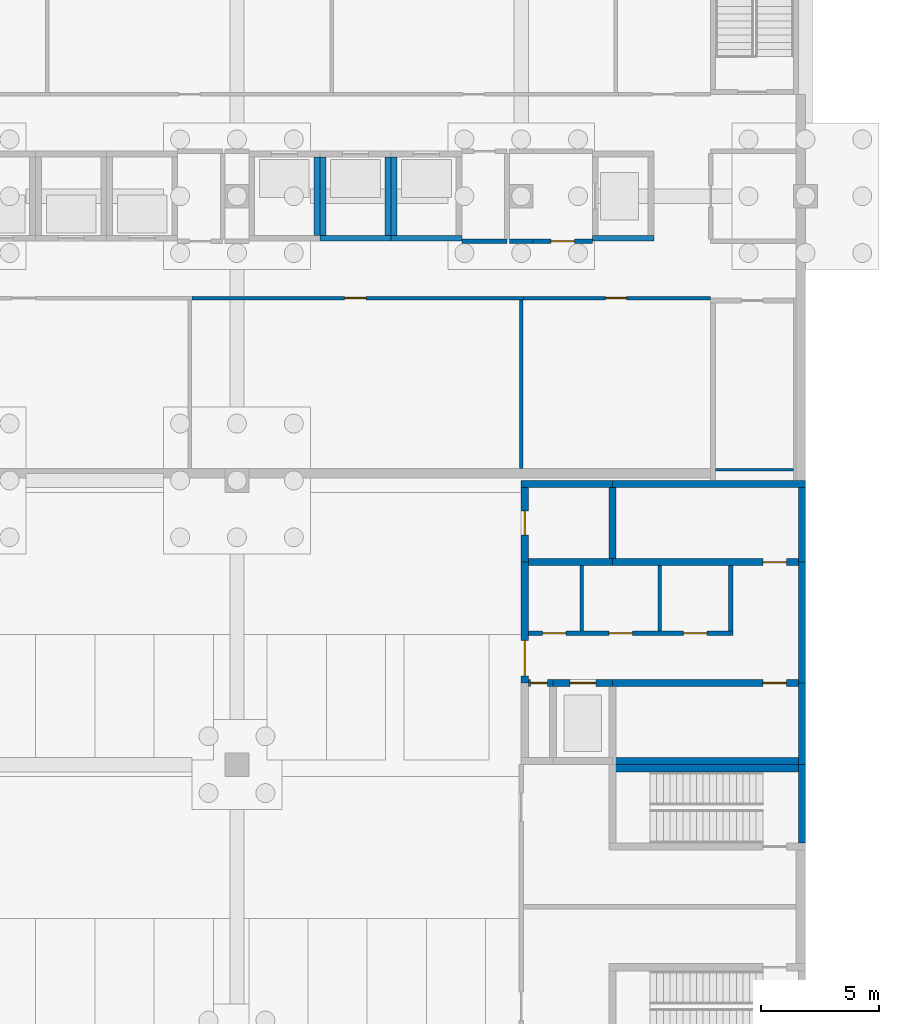
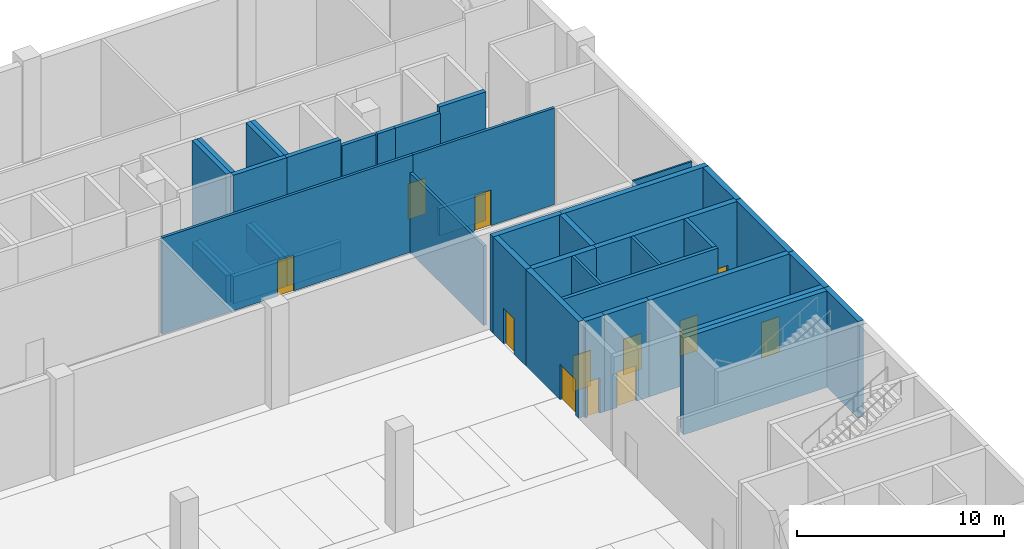
# One storey, part 27 of 34: 41 walls, 12 doors, 12 openings.
"""IFC4 building model written with IfcOpenShell, lengths in metres."""

import ifcopenshell
import ifcopenshell.guid

model = None  # the IFC model being written
_history = None  # IfcOwnerHistory: only IFC2X3 demands one
_inside = {}  # id of a spatial element -> (the spatial element, [elements in it])
_under = {}  # id of a project, library or spatial element -> (it, [spatial elements below it])
_declared = {}  # id of a project -> (the project, [libraries it declares])
_typed = {}  # id of a type object -> (the type object, [elements of that type])
_made_of = {}  # id of a material, layer set ... -> (it, [elements and type objects made of it])


def new_model(schema):
    """Start an empty IFC model of exactly this schema.

    Asked for "IFC4X3", IfcOpenShell would pick the latest addendum, in which some entities
    have other attributes; the version numbers below select the first issue.
    IFC2X3 requires an IfcOwnerHistory on every rooted entity: one is made here for all.
    """
    global model, _history
    if schema == "IFC4X3":
        model = ifcopenshell.file(schema_version=(4, 3, 0, 0))
    else:
        model = ifcopenshell.file(schema=schema)
    _inside.clear()
    _under.clear()
    _declared.clear()
    _typed.clear()
    _made_of.clear()
    _history = None
    if model.schema == "IFC2X3":
        org = make("IfcOrganization", Name="unknown")
        user = make(
            "IfcPersonAndOrganization",
            ThePerson=make("IfcPerson", FamilyName="unknown"),
            TheOrganization=org,
        )
        app = make(
            "IfcApplication",
            ApplicationDeveloper=org,
            Version="unknown",
            ApplicationFullName="unknown",
            ApplicationIdentifier="unknown",
        )
        _history = make(
            "IfcOwnerHistory",
            OwningUser=user,
            OwningApplication=app,
            ChangeAction="ADDED",
            CreationDate=0,
        )
    return model


def make(cls, **values):
    """One entity of the class cls with the attributes given. An attribute that is None is left unset."""
    return model.create_entity(
        cls, **{name: value for name, value in values.items() if value is not None}
    )


def rooted(cls, **values):
    """An entity with a GlobalId (a new one), such as an element, a storey or a relation."""
    return make(cls, GlobalId=ifcopenshell.guid.new(), OwnerHistory=_history, **values)


def si_unit(unit_type, name, prefix=None):
    """IfcSIUnit, for example si_unit("LENGTHUNIT", "METRE", prefix="MILLI")."""
    return make("IfcSIUnit", UnitType=unit_type, Prefix=prefix, Name=name)


def assignment(units):
    """IfcUnitAssignment: the units of a project."""
    return None if units is None else make("IfcUnitAssignment", Units=units)


def point(xyz):
    """IfcCartesianPoint."""
    return None if xyz is None else make("IfcCartesianPoint", Coordinates=xyz)


def direction(xyz):
    """IfcDirection."""
    return None if xyz is None else make("IfcDirection", DirectionRatios=xyz)


def frame(location, z_axis=None, x_axis=None):
    """IfcAxis2Placement3D, a coordinate frame: its origin and axes. An axis left out is left unset."""
    return make(
        "IfcAxis2Placement3D",
        Location=point(location),
        Axis=direction(z_axis),
        RefDirection=direction(x_axis),
    )


def frame_2d(location, x_axis=None):
    """IfcAxis2Placement2D, a coordinate frame in the plane: its origin and x axis."""
    return make(
        "IfcAxis2Placement2D", Location=point(location), RefDirection=direction(x_axis)
    )


def origin():
    """The frame at (0, 0, 0) with its axes left unset."""
    return frame((0.0, 0.0, 0.0))


def place(relative_to, where):
    """IfcLocalPlacement: puts the frame where relative to a parent placement (None: the world)."""
    return make(
        "IfcLocalPlacement", PlacementRelTo=relative_to, RelativePlacement=where
    )


def context(
    kind, dimensions, precision=None, world=None, true_north=None, identifier=None
):
    """IfcGeometricRepresentationContext, for example the 3D "Model" context."""
    return make(
        "IfcGeometricRepresentationContext",
        ContextIdentifier=identifier,
        ContextType=kind,
        CoordinateSpaceDimension=dimensions,
        Precision=precision,
        WorldCoordinateSystem=world,
        TrueNorth=true_north,
    )


def subcontext(parent, identifier, kind, view, scale=None):
    """IfcGeometricRepresentationSubContext, for example "Body" below "Model"."""
    return make(
        "IfcGeometricRepresentationSubContext",
        ContextIdentifier=identifier,
        ContextType=kind,
        ParentContext=parent,
        TargetScale=scale,
        TargetView=view,
    )


def project(units=None, contexts=None):
    """IfcProject with its units and contexts."""
    return rooted(
        "IfcProject",
        Name="project",
        RepresentationContexts=contexts,
        UnitsInContext=assignment(units),
    )


def spatial(cls, under=None, at=None, **own):
    """A site, building, storey or space (cls), placed at a placement, below another one or the project."""
    s = rooted(cls, ObjectPlacement=at, **own)
    if under is not None:
        _under.setdefault(under.id(), (under, []))[1].append(s)
    return s


def profile(cls, at=None, kind="AREA", **sizes):
    """A parametric profile (cls). Its sizes go by their IFC names, for example OverallWidth=200.0."""
    return make(cls, ProfileType=kind, Position=at, **sizes)


def rectangle(**sizes):
    """IfcRectangleProfileDef."""
    return profile("IfcRectangleProfileDef", **sizes)


def extrude(swept, where, along, depth):
    """IfcExtrudedAreaSolid: the profile swept, set in the frame where, extruded along a direction by depth."""
    return make(
        "IfcExtrudedAreaSolid",
        SweptArea=swept,
        Position=where,
        ExtrudedDirection=direction(along),
        Depth=depth,
    )


def shape(context_of_items, identifier, shape_type, items):
    """IfcShapeRepresentation: the items that make up one representation, for example the "Body"."""
    return make(
        "IfcShapeRepresentation",
        ContextOfItems=context_of_items,
        RepresentationIdentifier=identifier,
        RepresentationType=shape_type,
        Items=items,
    )


def material(Name=None, Category=None):
    """IfcMaterial."""
    return make("IfcMaterial", Name=Name, Category=Category)


def layer(
    of_material, thickness, ventilated=None, Name=None, Category=None, Priority=None
):
    """IfcMaterialLayer: one layer of a wall or slab, of a material (None: an air gap)."""
    return make(
        "IfcMaterialLayer",
        Material=of_material,
        LayerThickness=thickness,
        IsVentilated=ventilated,
        Name=Name,
        Category=Category,
        Priority=Priority,
    )


def layer_set(layers, Name=None):
    """IfcMaterialLayerSet."""
    return make("IfcMaterialLayerSet", MaterialLayers=layers, LayerSetName=Name)


def made_of(thing, what):
    """Note that an element or type object is made of a material, layer set ...; save() writes the relation."""
    if what is not None:
        _made_of.setdefault(what.id(), (what, []))[1].append(thing)
    return thing


def type_object(cls, material=None, **own):
    """A type object (cls), such as IfcWallType, which elements share."""
    return made_of(rooted(cls, **own), material)


def element(
    cls,
    number,
    at=None,
    inside=None,
    cuts=None,
    type_object=None,
    material=None,
    context=None,
    identifier="Body",
    shape_type=None,
    held_by="IfcProductDefinitionShape",
    body=None,
    shapes=None,
    **own,
):
    """One element of the class cls, such as IfcWall. Its Tag is "e" and its number.

    at: its placement. inside: the storey or other place that contains it. cuts: it is an
    opening in that element (IfcRelVoidsElement). A single representation is given by context,
    identifier, shape_type and body (its items); several are given by shapes. held_by: the class
    of the entity that holds the representations. save() writes the other relations.
    """
    e = rooted(cls, Tag="e%d" % number, ObjectPlacement=at, **own)
    if body is not None:
        shapes = [shape(context, identifier, shape_type, body)]
    if shapes is not None:
        e.Representation = make(held_by, Representations=shapes)
    if inside is not None:
        _inside.setdefault(inside.id(), (inside, []))[1].append(e)
    if cuts is not None:
        rooted(
            "IfcRelVoidsElement", RelatingBuildingElement=cuts, RelatedOpeningElement=e
        )
    if type_object is not None:
        _typed.setdefault(type_object.id(), (type_object, []))[1].append(e)
    return made_of(e, material)


def fill(opening, filler):
    """IfcRelFillsElement: the door or window that sits in an opening."""
    return rooted(
        "IfcRelFillsElement",
        RelatingOpeningElement=opening,
        RelatedBuildingElement=filler,
    )


def aggregate(whole, parts):
    """IfcRelAggregates: a whole, such as a stair, and the parts it consists of."""
    return rooted("IfcRelAggregates", RelatingObject=whole, RelatedObjects=parts)


def save(model, path):
    """Write the relations noted so far, then the file.

    IfcRelAggregates (storeys below a building ...), IfcRelContainedInSpatialStructure (elements
    in a storey), IfcRelDefinesByType, IfcRelAssociatesMaterial and IfcRelDeclares: one each for
    every whole, place, type object, material and project.
    """
    for whole, parts in _under.values():
        aggregate(whole, parts)
    for where, things in _inside.values():
        rooted(
            "IfcRelContainedInSpatialStructure",
            RelatedElements=things,
            RelatingStructure=where,
        )
    for kind, things in _typed.values():
        rooted("IfcRelDefinesByType", RelatedObjects=things, RelatingType=kind)
    for what, things in _made_of.values():
        rooted("IfcRelAssociatesMaterial", RelatedObjects=things, RelatingMaterial=what)
    for by, libraries in _declared.values():
        rooted("IfcRelDeclares", RelatingContext=by, RelatedDefinitions=libraries)
    model.write(path)


model = new_model("IFC4")

# Units and contexts
model_context = context("Model", 3, precision=1e-05, world=origin(), true_north=direction((0.0, 1.0)))
body_context = subcontext(model_context, "Body", "Model", "MODEL_VIEW")
ifc_project = project(units=[si_unit("LENGTHUNIT", "METRE"), si_unit("AREAUNIT", "SQUARE_METRE"), si_unit("VOLUMEUNIT", "CUBIC_METRE"), si_unit("PLANEANGLEUNIT", "RADIAN"), si_unit("MASSUNIT", "GRAM", prefix="KILO")], contexts=[model_context])

# Site, building, storey
site_placement = place(None, origin())
site = spatial("IfcSite", under=ifc_project, at=site_placement, CompositionType="ELEMENT")
building_placement = place(site_placement, origin())
building = spatial("IfcBuilding", under=site, at=building_placement, Name="Lilac Gate Convention Centre", CompositionType="ELEMENT")
storey_placement = place(building_placement, frame((0.0, 0.0, -6.0)))
storey = spatial("IfcBuildingStorey", under=building, at=storey_placement, Name="B1", CompositionType="ELEMENT", Elevation=-6.0)

# Walls
ifc_material_1 = material(Name="Concrete C60", Category="concrete")
ifc_layer_1 = layer(ifc_material_1, 0.10009765625)
ifc_layer_set_1 = layer_set([ifc_layer_1], Name="Concrete C60")
wall_type_1 = type_object("IfcWallType", Name="Core wall 100 C60", PredefinedType="SHEAR", material=ifc_layer_set_1)
wall_1_placement = place(storey_placement, frame((89.5, 222.449951171875, 0.0), z_axis=(0.0, 0.0, 1.0), x_axis=(-1.0, 0.0, 0.0)))
element("IfcWall", 1, at=wall_1_placement, inside=storey, type_object=wall_type_1, Name="CRW8 core wall TS-EX B1 2", PredefinedType="SHEAR", context=body_context, shape_type="SweptSolid", body=[
    extrude(rectangle(XDim=3.300048828125, YDim=0.10009765625, at=frame_2d((1.64990234375, 0.0))), origin(), (0.0, 0.0, 1.0), 5.699951171875),
])
ifc_layer_2 = layer(ifc_material_1, 0.25)
ifc_layer_set_2 = layer_set([ifc_layer_2], Name="Concrete C60")
wall_type_2 = type_object("IfcWallType", Name="Core wall 250 C60", PredefinedType="SHEAR", material=ifc_layer_set_2)
wall_2_placement = place(storey_placement, frame((69.375, 232.35009765625, 0.0), z_axis=(0.0, 0.0, 1.0), x_axis=(0.0, 1.0, 0.0)))
element("IfcWall", 2, at=wall_2_placement, inside=storey, type_object=wall_type_2, Name="CRW3 core wall TC B1 16", PredefinedType="SHEAR", context=body_context, shape_type="SweptSolid", body=[
    extrude(rectangle(XDim=3.2998046875, YDim=0.25, at=frame_2d((1.64990234375, 0.0))), origin(), (0.0, 0.0, 1.0), 6.0),
])
wall_3_placement = place(storey_placement, frame((69.5, 232.22509765625, 0.0), z_axis=(0.0, 0.0, 1.0), x_axis=(1.0, 0.0, 0.0)))
element("IfcWall", 3, at=wall_3_placement, inside=storey, type_object=wall_type_2, Name="CRW3 core wall TC B1 17", PredefinedType="SHEAR", context=body_context, shape_type="SweptSolid", body=[
    extrude(rectangle(XDim=3.0, YDim=0.25, at=frame_2d((1.5, 0.0))), origin(), (0.0, 0.0, 1.0), 6.0),
])
for number, where, z_axis, x_axis, name in (
    (4, (69.625, 232.35009765625, 0.0), (0.0, 0.0, 1.0), (0.0, 1.0, 0.0), "CRW3 core wall TC B1 19"),
    (5, (72.375, 232.35009765625, 0.0), (0.0, 0.0, 1.0), (0.0, 1.0, 0.0), "CRW3 core wall TC B1 20"),
):
    element("IfcWall", number, at=place(storey_placement, frame(where, z_axis=z_axis, x_axis=x_axis)), inside=storey, type_object=wall_type_2, Name=name, PredefinedType="SHEAR", context=body_context, shape_type="SweptSolid", body=[
        extrude(rectangle(XDim=3.2998046875, YDim=0.25, at=frame_2d((1.64990234375, 0.0))), origin(), (0.0, 0.0, 1.0), 6.0),
    ])
wall_4_placement = place(storey_placement, frame((72.5, 232.22509765625, 0.0), z_axis=(0.0, 0.0, 1.0), x_axis=(1.0, 0.0, 0.0)))
element("IfcWall", 6, at=wall_4_placement, inside=storey, type_object=wall_type_2, Name="CRW3 core wall TC B1 21", PredefinedType="SHEAR", context=body_context, shape_type="SweptSolid", body=[
    extrude(rectangle(XDim=3.0, YDim=0.25, at=frame_2d((1.5, 0.0))), origin(), (0.0, 0.0, 1.0), 6.0),
])
wall_5_placement = place(storey_placement, frame((72.625, 232.35009765625, 0.0), z_axis=(0.0, 0.0, 1.0), x_axis=(0.0, 1.0, 0.0)))
element("IfcWall", 7, at=wall_5_placement, inside=storey, type_object=wall_type_2, Name="CRW3 core wall TC B1 23", PredefinedType="SHEAR", context=body_context, shape_type="SweptSolid", body=[
    extrude(rectangle(XDim=3.2998046875, YDim=0.25, at=frame_2d((1.64990234375, 0.0))), origin(), (0.0, 0.0, 1.0), 6.0),
])
wall_6_placement = place(storey_placement, frame((81.0, 232.22509765625, 0.0), z_axis=(0.0, 0.0, 1.0), x_axis=(1.0, 0.0, 0.0)))
element("IfcWall", 8, at=wall_6_placement, inside=storey, type_object=wall_type_2, Name="CRW3 core wall TC B1 33", PredefinedType="SHEAR", context=body_context, shape_type="SweptSolid", body=[
    extrude(rectangle(XDim=2.60009765625, YDim=0.25, at=frame_2d((1.300048828125, 0.0))), origin(), (0.0, 0.0, 1.0), 6.0),
])

# Wall, opening, door
ifc_material_2 = material(Name="Gypsum board on steel stud", Category="steel")
ifc_layer_3 = layer(ifc_material_2, 0.14990234375)
ifc_layer_set_3 = layer_set([ifc_layer_3], Name="Gypsum board on steel stud")
wall_type_3 = type_object("IfcWallType", Name="Corridor wall 150", PredefinedType="PARTITIONING", material=ifc_layer_set_3)
wall_7_placement = place(storey_placement, frame((78.10009765625, 229.699951171875, 0.0), z_axis=(0.0, 0.0, 1.0), x_axis=(-1.0, 0.0, 0.0)))
wall_7 = element("IfcWall", 9, at=wall_7_placement, inside=storey, type_object=wall_type_3, Name="Corridor wall 150 front HEX", PredefinedType="PARTITIONING", context=body_context, shape_type="SweptSolid", body=[
    extrude(rectangle(XDim=14.0, YDim=0.14990234375, at=frame_2d((7.0, 0.0))), origin(), (0.0, 0.0, 1.0), 5.699951171875),
])
opening_1_placement = place(wall_7_placement, frame((6.64990234375, 0.0, 0.0)))
opening_1 = element("IfcOpeningElement", 10, at=opening_1_placement, cuts=wall_7, Name="Opening TB1-009", PredefinedType="OPENING", context=body_context, shape_type="SweptSolid", body=[
    extrude(rectangle(XDim=0.89990234375, YDim=2.10009765625, at=frame_2d((0.449951171875, 1.050048828125))), frame((0.0, 0.0849609375, 0.0), z_axis=(0.0, -1.0, 0.0), x_axis=(1.0, 0.0, 0.0)), (0.0, 0.0, 1.0), 0.169921875),
])
ifc_material_3 = material(Name="Steel Q235B", Category="steel")
door_type_1 = type_object("IfcDoorType", Name="Riser and store door 900", OperationType="SINGLE_SWING_LEFT", PredefinedType="DOOR", material=ifc_material_3)
door_1_placement = place(opening_1_placement, origin())
door_1 = element("IfcDoor", 11, at=door_1_placement, inside=storey, type_object=door_type_1, Name="Heat Exchange Plant Room door", OperationType="SINGLE_SWING_LEFT", OverallHeight=2.10009765625, OverallWidth=0.89990234375, PredefinedType="DOOR", context=body_context, shape_type="SweptSolid", body=[
    extrude(rectangle(XDim=0.89990234375, YDim=2.10009765625, at=frame_2d((0.449951171875, 1.050048828125))), frame((0.0, 0.02490234375, 0.0), z_axis=(0.0, -1.0, 0.0), x_axis=(1.0, 0.0, 0.0)), (0.0, 0.0, 1.0), 0.050048828125),
])
fill(opening_1, door_1)

wall_8_placement = place(storey_placement, frame((86.0, 229.699951171875, 0.0), z_axis=(0.0, 0.0, 1.0), x_axis=(-1.0, 0.0, 0.0)))
wall_8 = element("IfcWall", 12, at=wall_8_placement, inside=storey, type_object=wall_type_3, Name="Corridor wall 150 front FPR", PredefinedType="PARTITIONING", context=body_context, shape_type="SweptSolid", body=[
    extrude(rectangle(XDim=7.89990234375, YDim=0.14990234375, at=frame_2d((3.949951171875, 0.0))), origin(), (0.0, 0.0, 1.0), 5.699951171875),
])
opening_2_placement = place(wall_8_placement, frame((3.550048828125, 0.0, 0.0)))
opening_2 = element("IfcOpeningElement", 13, at=opening_2_placement, cuts=wall_8, Name="Opening TB1-010", PredefinedType="OPENING", context=body_context, shape_type="SweptSolid", body=[
    extrude(rectangle(XDim=0.89990234375, YDim=2.10009765625, at=frame_2d((0.449951171875, 1.050048828125))), frame((0.0, 0.0849609375, 0.0), z_axis=(0.0, -1.0, 0.0), x_axis=(1.0, 0.0, 0.0)), (0.0, 0.0, 1.0), 0.169921875),
])
door_2_placement = place(opening_2_placement, origin())
door_2 = element("IfcDoor", 14, at=door_2_placement, inside=storey, type_object=door_type_1, Name="Fire Pump Room door", OperationType="SINGLE_SWING_RIGHT", OverallHeight=2.10009765625, OverallWidth=0.89990234375, PredefinedType="DOOR", context=body_context, shape_type="SweptSolid", body=[
    extrude(rectangle(XDim=0.89990234375, YDim=2.10009765625, at=frame_2d((0.449951171875, 1.050048828125))), frame((0.0, 0.02490234375, 0.0), z_axis=(0.0, -1.0, 0.0), x_axis=(1.0, 0.0, 0.0)), (0.0, 0.0, 1.0), 0.050048828125),
])
fill(opening_2, door_2)

ifc_layer_4 = layer(ifc_material_2, 0.199951171875)
ifc_layer_set_4 = layer_set([ifc_layer_4], Name="Gypsum board on steel stud")
wall_type_4 = type_object("IfcWallType", Name="Lobby wall 200", PredefinedType="PARTITIONING", material=ifc_layer_set_4)
wall_9_placement = place(storey_placement, frame((78.5, 232.10009765625, 0.0), z_axis=(0.0, 0.0, 1.0), x_axis=(1.0, 0.0, 0.0)))
wall_9 = element("IfcWall", 15, at=wall_9_placement, inside=storey, type_object=wall_type_4, Name="Lobby wall 200 FFL-S", PredefinedType="PARTITIONING", context=body_context, shape_type="SweptSolid", body=[
    extrude(rectangle(XDim=2.5, YDim=0.199951171875, at=frame_2d((1.25, 0.0))), origin(), (0.0, 0.0, 1.0), 5.699951171875),
])
opening_3_placement = place(wall_9_placement, frame((0.75, 0.0, 0.0)))
opening_3 = element("IfcOpeningElement", 16, at=opening_3_placement, cuts=wall_9, Name="Opening TB1-004", PredefinedType="OPENING", context=body_context, shape_type="SweptSolid", body=[
    extrude(rectangle(XDim=1.0, YDim=2.10009765625, at=frame_2d((0.5, 1.050048828125))), frame((0.0, 0.10986328125, 0.0), z_axis=(0.0, -1.0, 0.0), x_axis=(1.0, 0.0, 0.0)), (0.0, 0.0, 1.0), 0.219970703125),
])
door_type_2 = type_object("IfcDoorType", Name="Lobby door 1000", OperationType="SINGLE_SWING_LEFT", PredefinedType="DOOR", material=ifc_material_3)
door_3_placement = place(opening_3_placement, origin())
door_3 = element("IfcDoor", 17, at=door_3_placement, inside=storey, type_object=door_type_2, Name="Firefighting lobby door", OperationType="SINGLE_SWING_RIGHT", OverallHeight=2.10009765625, OverallWidth=1.0, PredefinedType="DOOR", context=body_context, shape_type="SweptSolid", body=[
    extrude(rectangle(XDim=1.0, YDim=2.10009765625, at=frame_2d((0.5, 1.050048828125))), frame((0.0, 0.02490234375, 0.0), z_axis=(0.0, -1.0, 0.0), x_axis=(1.0, 0.0, 0.0)), (0.0, 0.0, 1.0), 0.050048828125),
])
fill(opening_3, door_3)

# Walls
ifc_material_4 = material(Name="Fire-rated gypsum board on steel stud", Category="steel")
ifc_layer_5 = layer(ifc_material_4, 0.14990234375)
ifc_layer_set_5 = layer_set([ifc_layer_5], Name="Fire-rated gypsum board on steel stud")
wall_type_5 = type_object("IfcWallType", Name="Partition 150 fire-rated gypsum board EI 60", PredefinedType="PARTITIONING", material=ifc_layer_set_5)
for number, where, z_axis, x_axis, name in (
    (18, (80.550048828125, 215.64990234375, 0.0), (0.0, 0.0, 1.0), (0.0, 1.0, 0.0), "Partition 150 fire-rated gypsum board EI 60"),
    (19, (83.85009765625, 215.64990234375, 0.0), (0.0, 0.0, 1.0), (0.0, 1.0, 0.0), "Partition 150 fire-rated gypsum board EI 60"),
):
    element("IfcWall", number, at=place(storey_placement, frame(where, z_axis=z_axis, x_axis=x_axis)), inside=storey, type_object=wall_type_5, Name=name, PredefinedType="PARTITIONING", context=body_context, shape_type="SweptSolid", body=[
        extrude(rectangle(XDim=2.75, YDim=0.14990234375, at=frame_2d((1.375, 0.0))), origin(), (0.0, 0.0, 1.0), 5.699951171875),
    ])

# Wall, openings, doors
ifc_material_5 = material(Name="Clay brick masonry", Category="masonry")
ifc_layer_6 = layer(ifc_material_5, 0.199951171875)
ifc_layer_set_6 = layer_set([ifc_layer_6], Name="Clay brick masonry")
wall_type_6 = type_object("IfcWallType", Name="Partition 200 brick EI 60", PredefinedType="PARTITIONING", material=ifc_layer_set_6)
wall_10_placement = place(storey_placement, frame((78.300048828125, 215.550048828125, 0.0), z_axis=(0.0, 0.0, 1.0), x_axis=(1.0, 0.0, 0.0)))
wall_10 = element("IfcWall", 20, at=wall_10_placement, inside=storey, type_object=wall_type_6, Name="Partition 200 brick EI 60", PredefinedType="PARTITIONING", context=body_context, shape_type="SweptSolid", body=[
    extrude(rectangle(XDim=8.64990234375, YDim=0.199951171875, at=frame_2d((4.324951171875, 0.0))), origin(), (0.0, 0.0, 1.0), 5.699951171875),
])
opening_4_placement = place(wall_10_placement, frame((0.60009765625, 0.0, 0.0)))
opening_4 = element("IfcOpeningElement", 21, at=opening_4_placement, cuts=wall_10, Name="Opening B1-089", PredefinedType="OPENING", context=body_context, shape_type="SweptSolid", body=[
    extrude(rectangle(XDim=1.0, YDim=2.10009765625, at=frame_2d((0.5, 1.050048828125))), frame((0.0, 0.10986328125, 0.0), z_axis=(0.0, -1.0, 0.0), x_axis=(1.0, 0.0, 0.0)), (0.0, 0.0, 1.0), 0.219970703125),
])
opening_5_placement = place(wall_10_placement, frame((3.39990234375, 0.0, 0.0)))
opening_5 = element("IfcOpeningElement", 22, at=opening_5_placement, cuts=wall_10, Name="Opening B1-090", PredefinedType="OPENING", context=body_context, shape_type="SweptSolid", body=[
    extrude(rectangle(XDim=1.0, YDim=2.10009765625, at=frame_2d((0.5, 1.050048828125))), frame((0.0, 0.10986328125, 0.0), z_axis=(0.0, -1.0, 0.0), x_axis=(1.0, 0.0, 0.0)), (0.0, 0.0, 1.0), 0.219970703125),
])
opening_6_placement = place(wall_10_placement, frame((6.550048828125, 0.0, 0.0)))
opening_6 = element("IfcOpeningElement", 23, at=opening_6_placement, cuts=wall_10, Name="Opening B1-091", PredefinedType="OPENING", context=body_context, shape_type="SweptSolid", body=[
    extrude(rectangle(XDim=1.0, YDim=2.10009765625, at=frame_2d((0.5, 1.050048828125))), frame((0.0, 0.10986328125, 0.0), z_axis=(0.0, -1.0, 0.0), x_axis=(1.0, 0.0, 0.0)), (0.0, 0.0, 1.0), 0.219970703125),
])
ifc_material_6 = material(Name="Timber fire door leaf", Category="wood")
door_type_3 = type_object("IfcDoorType", Name="Door 1000 x 2100 single leaf FD30", OperationType="SINGLE_SWING_LEFT", PredefinedType="DOOR", material=ifc_material_6)
door_4_placement = place(opening_4_placement, origin())
door_4 = element("IfcDoor", 24, at=door_4_placement, inside=storey, type_object=door_type_3, Name="Accessible WC door B1-089", OperationType="SINGLE_SWING_RIGHT", OverallHeight=2.10009765625, OverallWidth=1.0, PredefinedType="DOOR", context=body_context, shape_type="SweptSolid", body=[
    extrude(rectangle(XDim=1.0, YDim=2.10009765625, at=frame_2d((0.5, 1.050048828125))), frame((0.0, 0.02490234375, 0.0), z_axis=(0.0, -1.0, 0.0), x_axis=(1.0, 0.0, 0.0)), (0.0, 0.0, 1.0), 0.050048828125),
])
fill(opening_4, door_4)
door_5_placement = place(opening_5_placement, origin())
door_5 = element("IfcDoor", 25, at=door_5_placement, inside=storey, type_object=door_type_3, Name="WC door B1-090", OperationType="SINGLE_SWING_LEFT", OverallHeight=2.10009765625, OverallWidth=1.0, PredefinedType="DOOR", context=body_context, shape_type="SweptSolid", body=[
    extrude(rectangle(XDim=1.0, YDim=2.10009765625, at=frame_2d((0.5, 1.050048828125))), frame((0.0, 0.02490234375, 0.0), z_axis=(0.0, -1.0, 0.0), x_axis=(1.0, 0.0, 0.0)), (0.0, 0.0, 1.0), 0.050048828125),
])
fill(opening_5, door_5)
door_6_placement = place(opening_6_placement, origin())
door_6 = element("IfcDoor", 26, at=door_6_placement, inside=storey, type_object=door_type_3, Name="WC door B1-091", OperationType="SINGLE_SWING_RIGHT", OverallHeight=2.10009765625, OverallWidth=1.0, PredefinedType="DOOR", context=body_context, shape_type="SweptSolid", body=[
    extrude(rectangle(XDim=1.0, YDim=2.10009765625, at=frame_2d((0.5, 1.050048828125))), frame((0.0, 0.02490234375, 0.0), z_axis=(0.0, -1.0, 0.0), x_axis=(1.0, 0.0, 0.0)), (0.0, 0.0, 1.0), 0.050048828125),
])
fill(opening_6, door_6)

# Walls
wall_11_placement = place(storey_placement, frame((86.85009765625, 215.64990234375, 0.0), z_axis=(0.0, 0.0, 1.0), x_axis=(0.0, 1.0, 0.0)))
element("IfcWall", 27, at=wall_11_placement, inside=storey, type_object=wall_type_6, Name="Partition 200 brick EI 60", PredefinedType="PARTITIONING", context=body_context, shape_type="SweptSolid", body=[
    extrude(rectangle(XDim=2.75, YDim=0.199951171875, at=frame_2d((1.375, 0.0))), origin(), (0.0, 0.0, 1.0), 5.699951171875),
])
ifc_layer_7 = layer(ifc_material_2, 0.199951171875)
ifc_layer_set_7 = layer_set([ifc_layer_7], Name="Gypsum board on steel stud")
wall_type_7 = type_object("IfcWallType", Name="Riser and store wall 200", PredefinedType="PARTITIONING", material=ifc_layer_set_7)
wall_12_placement = place(storey_placement, frame((75.5, 232.10009765625, 0.0), z_axis=(0.0, 0.0, 1.0), x_axis=(1.0, 0.0, 0.0)))
element("IfcWall", 28, at=wall_12_placement, inside=storey, type_object=wall_type_7, Name="Riser and store wall 200 RS2-S", PredefinedType="PARTITIONING", context=body_context, shape_type="SweptSolid", body=[
    extrude(rectangle(XDim=1.89990234375, YDim=0.199951171875, at=frame_2d((0.949951171875, 0.0))), origin(), (0.0, 0.0, 1.0), 5.699951171875),
])
wall_13_placement = place(storey_placement, frame((77.5, 232.10009765625, 0.0), z_axis=(0.0, 0.0, 1.0), x_axis=(1.0, 0.0, 0.0)))
element("IfcWall", 29, at=wall_13_placement, inside=storey, type_object=wall_type_7, Name="Riser and store wall 200 NICHE3-S", PredefinedType="PARTITIONING", context=body_context, shape_type="SweptSolid", body=[
    extrude(rectangle(XDim=1.0, YDim=0.199951171875, at=frame_2d((0.5, 0.0))), origin(), (0.0, 0.0, 1.0), 5.699951171875),
])
ifc_layer_8 = layer(ifc_material_2, 0.14990234375)
ifc_layer_set_8 = layer_set([ifc_layer_8], Name="Gypsum board on steel stud")
wall_type_8 = type_object("IfcWallType", Name="Room partition 150", PredefinedType="PARTITIONING", material=ifc_layer_set_8)
wall_14_placement = place(storey_placement, frame((78.0, 222.5, 0.0), z_axis=(0.0, 0.0, 1.0), x_axis=(0.0, 1.0, 0.0)))
element("IfcWall", 30, at=wall_14_placement, inside=storey, type_object=wall_type_8, Name="Room partition 150 part FPR", PredefinedType="PARTITIONING", context=body_context, shape_type="SweptSolid", body=[
    extrude(rectangle(XDim=7.125, YDim=0.14990234375, at=frame_2d((3.5625, 0.0))), origin(), (0.0, 0.0, 1.0), 4.699951171875),
])
ifc_material_7 = material(Name="Concrete C40", Category="concrete")
ifc_layer_9 = layer(ifc_material_7, 0.300048828125)
ifc_layer_set_9 = layer_set([ifc_layer_9], Name="Concrete C40")
wall_type_9 = type_object("IfcWallType", Name="Shear wall 300 C40", PredefinedType="SHEAR", material=ifc_layer_set_9)
wall_15_placement = place(storey_placement, frame((90.0, 209.85009765625, 0.0), z_axis=(0.0, 0.0, 1.0), x_axis=(-1.0, 0.0, 0.0)))
element("IfcWall", 31, at=wall_15_placement, inside=storey, type_object=wall_type_9, Name="SW1 shear wall BE4 B1 2", PredefinedType="SHEAR", context=body_context, shape_type="SweptSolid", body=[
    extrude(rectangle(XDim=8.300048828125, YDim=0.300048828125, at=frame_2d((4.14990234375, 0.0))), origin(), (0.0, 0.0, 1.0), 5.699951171875),
])
wall_16_placement = place(storey_placement, frame((89.85009765625, 206.699951171875, 0.0), z_axis=(0.0, 0.0, 1.0), x_axis=(0.0, 1.0, 0.0)))
element("IfcWall", 32, at=wall_16_placement, inside=storey, type_object=wall_type_9, Name="SW1 shear wall BE4 B1 3", PredefinedType="SHEAR", context=body_context, shape_type="SweptSolid", body=[
    extrude(rectangle(XDim=3.300048828125, YDim=0.300048828125, at=frame_2d((1.64990234375, 0.0))), origin(), (0.0, 0.0, 1.0), 5.699951171875),
])
for number, where, z_axis, x_axis, name in (
    (33, (90.0, 210.14990234375, 0.0), (0.0, 0.0, 1.0), (-1.0, 0.0, 0.0), "SW1 shear wall E4 B1 1"),
    (34, (90.0, 221.85009765625, 0.0), (0.0, 0.0, 1.0), (-1.0, 0.0, 0.0), "SW1 shear wall E4 B1 4"),
):
    element("IfcWall", number, at=place(storey_placement, frame(where, z_axis=z_axis, x_axis=x_axis)), inside=storey, type_object=wall_type_9, Name=name, PredefinedType="SHEAR", context=body_context, shape_type="SweptSolid", body=[
        extrude(rectangle(XDim=8.14990234375, YDim=0.300048828125, at=frame_2d((4.074951171875, 0.0))), origin(), (0.0, 0.0, 1.0), 5.699951171875),
    ])
wall_17_placement = place(storey_placement, frame((81.85009765625, 221.85009765625, 0.0), z_axis=(0.0, 0.0, 1.0), x_axis=(-1.0, 0.0, 0.0)))
element("IfcWall", 35, at=wall_17_placement, inside=storey, type_object=wall_type_9, Name="SW1 shear wall E4 B1 5", PredefinedType="SHEAR", context=body_context, shape_type="SweptSolid", body=[
    extrude(rectangle(XDim=3.85009765625, YDim=0.300048828125, at=frame_2d((1.925048828125, 0.0))), origin(), (0.0, 0.0, 1.0), 5.699951171875),
])

# Wall, opening, door
wall_18_placement = place(storey_placement, frame((90.0, 213.449951171875, 0.0), z_axis=(0.0, 0.0, 1.0), x_axis=(-1.0, 0.0, 0.0)))
wall_18 = element("IfcWall", 36, at=wall_18_placement, inside=storey, type_object=wall_type_9, Name="SW1 shear wall E4 B1 6", PredefinedType="SHEAR", context=body_context, shape_type="SweptSolid", body=[
    extrude(rectangle(XDim=8.14990234375, YDim=0.300048828125, at=frame_2d((4.074951171875, 0.0))), origin(), (0.0, 0.0, 1.0), 5.699951171875),
])
opening_7_placement = place(wall_18_placement, frame((0.800048828125, 0.0, 0.0)))
opening_7 = element("IfcOpeningElement", 37, at=opening_7_placement, cuts=wall_18, Name="Opening B1-083", PredefinedType="OPENING", context=body_context, shape_type="SweptSolid", body=[
    extrude(rectangle(XDim=1.0, YDim=2.10009765625, at=frame_2d((0.5, 1.050048828125))), frame((0.0, 0.159912109375, 0.0), z_axis=(0.0, -1.0, 0.0), x_axis=(1.0, 0.0, 0.0)), (0.0, 0.0, 1.0), 0.320068359375),
])
door_type_4 = type_object("IfcDoorType", Name="Door 1000 x 2100 single leaf FD60", OperationType="SINGLE_SWING_LEFT", PredefinedType="DOOR", material=ifc_material_6)
door_7_placement = place(opening_7_placement, origin())
door_7 = element("IfcDoor", 38, at=door_7_placement, inside=storey, type_object=door_type_4, Name="Store door B1-083", OperationType="SINGLE_SWING_RIGHT", OverallHeight=2.10009765625, OverallWidth=1.0, PredefinedType="DOOR", context=body_context, shape_type="SweptSolid", body=[
    extrude(rectangle(XDim=1.0, YDim=2.10009765625, at=frame_2d((0.5, 1.050048828125))), frame((0.0, 0.02490234375, 0.0), z_axis=(0.0, -1.0, 0.0), x_axis=(1.0, 0.0, 0.0)), (0.0, 0.0, 1.0), 0.050048828125),
])
fill(opening_7, door_7)

wall_19_placement = place(storey_placement, frame((81.85009765625, 213.449951171875, 0.0), z_axis=(0.0, 0.0, 1.0), x_axis=(-1.0, 0.0, 0.0)))
wall_19 = element("IfcWall", 39, at=wall_19_placement, inside=storey, type_object=wall_type_9, Name="SW1 shear wall E4 B1 7", PredefinedType="SHEAR", context=body_context, shape_type="SweptSolid", body=[
    extrude(rectangle(XDim=2.5, YDim=0.300048828125, at=frame_2d((1.25, 0.0))), origin(), (0.0, 0.0, 1.0), 5.699951171875),
])
opening_8_placement = place(wall_19_placement, frame((0.699951171875, 0.0, 0.0)))
opening_8 = element("IfcOpeningElement", 40, at=opening_8_placement, cuts=wall_19, Name="Opening LDE4-B1", PredefinedType="OPENING", context=body_context, shape_type="SweptSolid", body=[
    extrude(rectangle(XDim=1.10009765625, YDim=2.10009765625, at=frame_2d((0.550048828125, 1.050048828125))), frame((0.0, 0.159912109375, 0.0), z_axis=(0.0, -1.0, 0.0), x_axis=(1.0, 0.0, 0.0)), (0.0, 0.0, 1.0), 0.320068359375),
])
ifc_material_8 = material(Name="Stainless steel 304", Category="steel")
door_type_5 = type_object("IfcDoorType", Name="Lift landing door 1100 x 2100", OperationType="SLIDING_TO_LEFT", PredefinedType="DOOR", material=ifc_material_8)
door_8_placement = place(opening_8_placement, origin())
door_8 = element("IfcDoor", 41, at=door_8_placement, inside=storey, type_object=door_type_5, Name="Lift landing door LDE4-B1", OperationType="SLIDING_TO_LEFT", OverallHeight=2.10009765625, OverallWidth=1.10009765625, PredefinedType="DOOR", context=body_context, shape_type="SweptSolid", body=[
    extrude(rectangle(XDim=1.10009765625, YDim=2.10009765625, at=frame_2d((0.550048828125, 1.050048828125))), frame((0.0, 0.02490234375, 0.0), z_axis=(0.0, -1.0, 0.0), x_axis=(1.0, 0.0, 0.0)), (0.0, 0.0, 1.0), 0.050048828125),
])
fill(opening_8, door_8)

wall_20_placement = place(storey_placement, frame((79.35009765625, 213.449951171875, 0.0), z_axis=(0.0, 0.0, 1.0), x_axis=(-1.0, 0.0, 0.0)))
wall_20 = element("IfcWall", 42, at=wall_20_placement, inside=storey, type_object=wall_type_9, Name="SW1 shear wall E4 B1 8", PredefinedType="SHEAR", context=body_context, shape_type="SweptSolid", body=[
    extrude(rectangle(XDim=1.050048828125, YDim=0.300048828125, at=frame_2d((0.52490234375, 0.0))), origin(), (0.0, 0.0, 1.0), 5.699951171875),
])
opening_9_placement = place(wall_20_placement, frame((0.25, 0.0, 0.0)))
opening_9 = element("IfcOpeningElement", 43, at=opening_9_placement, cuts=wall_20, Name="Opening B1-082", PredefinedType="OPENING", context=body_context, shape_type="SweptSolid", body=[
    extrude(rectangle(XDim=0.699951171875, YDim=2.10009765625, at=frame_2d((0.35009765625, 1.050048828125))), frame((0.0, 0.159912109375, 0.0), z_axis=(0.0, -1.0, 0.0), x_axis=(1.0, 0.0, 0.0)), (0.0, 0.0, 1.0), 0.320068359375),
])
door_type_6 = type_object("IfcDoorType", Name="Door 700 x 2100 single leaf FD30", OperationType="SINGLE_SWING_LEFT", PredefinedType="DOOR", material=ifc_material_6)
door_9_placement = place(opening_9_placement, origin())
door_9 = element("IfcDoor", 44, at=door_9_placement, inside=storey, type_object=door_type_6, Name="Riser access door B1-082", OperationType="SINGLE_SWING_LEFT", OverallHeight=2.10009765625, OverallWidth=0.699951171875, PredefinedType="DOOR", context=body_context, shape_type="SweptSolid", body=[
    extrude(rectangle(XDim=0.699951171875, YDim=2.10009765625, at=frame_2d((0.35009765625, 1.050048828125))), frame((0.0, 0.02490234375, 0.0), z_axis=(0.0, -1.0, 0.0), x_axis=(1.0, 0.0, 0.0)), (0.0, 0.0, 1.0), 0.050048828125),
])
fill(opening_9, door_9)

wall_21_placement = place(storey_placement, frame((90.0, 218.550048828125, 0.0), z_axis=(0.0, 0.0, 1.0), x_axis=(-1.0, 0.0, 0.0)))
wall_21 = element("IfcWall", 45, at=wall_21_placement, inside=storey, type_object=wall_type_9, Name="SW1 shear wall E4 B1 9", PredefinedType="SHEAR", context=body_context, shape_type="SweptSolid", body=[
    extrude(rectangle(XDim=8.14990234375, YDim=0.300048828125, at=frame_2d((4.074951171875, 0.0))), origin(), (0.0, 0.0, 1.0), 5.699951171875),
])
opening_10_placement = place(wall_21_placement, frame((0.800048828125, 0.0, 0.0)))
opening_10 = element("IfcOpeningElement", 46, at=opening_10_placement, cuts=wall_21, Name="Opening B1-093", PredefinedType="OPENING", context=body_context, shape_type="SweptSolid", body=[
    extrude(rectangle(XDim=1.0, YDim=2.10009765625, at=frame_2d((0.5, 1.050048828125))), frame((0.0, 0.159912109375, 0.0), z_axis=(0.0, -1.0, 0.0), x_axis=(1.0, 0.0, 0.0)), (0.0, 0.0, 1.0), 0.320068359375),
])
door_10_placement = place(opening_10_placement, frame((1.0, 0.0, 0.0), z_axis=(0.0, 0.0, 1.0), x_axis=(-1.0, 0.0, 0.0)))
door_10 = element("IfcDoor", 47, at=door_10_placement, inside=storey, type_object=door_type_4, Name="Store door B1-093", OperationType="SINGLE_SWING_LEFT", OverallHeight=2.10009765625, OverallWidth=1.0, PredefinedType="DOOR", context=body_context, shape_type="SweptSolid", body=[
    extrude(rectangle(XDim=1.0, YDim=2.10009765625, at=frame_2d((0.5, 1.050048828125))), frame((0.0, 0.02490234375, 0.0), z_axis=(0.0, -1.0, 0.0), x_axis=(1.0, 0.0, 0.0)), (0.0, 0.0, 1.0), 0.050048828125),
])
fill(opening_10, door_10)

# Walls
wall_22_placement = place(storey_placement, frame((81.85009765625, 218.550048828125, 0.0), z_axis=(0.0, 0.0, 1.0), x_axis=(-1.0, 0.0, 0.0)))
element("IfcWall", 48, at=wall_22_placement, inside=storey, type_object=wall_type_9, Name="SW1 shear wall E4 B1 10", PredefinedType="SHEAR", context=body_context, shape_type="SweptSolid", body=[
    extrude(rectangle(XDim=3.550048828125, YDim=0.300048828125, at=frame_2d((1.77490234375, 0.0))), origin(), (0.0, 0.0, 1.0), 5.699951171875),
])
wall_23_placement = place(storey_placement, frame((89.85009765625, 210.0, 0.0), z_axis=(0.0, 0.0, 1.0), x_axis=(0.0, 1.0, 0.0)))
element("IfcWall", 49, at=wall_23_placement, inside=storey, type_object=wall_type_9, Name="SW1 shear wall E4 B1 11", PredefinedType="SHEAR", context=body_context, shape_type="SweptSolid", body=[
    extrude(rectangle(XDim=3.449951171875, YDim=0.300048828125, at=frame_2d((1.72509765625, 0.0))), origin(), (0.0, 0.0, 1.0), 5.699951171875),
])
wall_24_placement = place(storey_placement, frame((89.85009765625, 213.449951171875, 0.0), z_axis=(0.0, 0.0, 1.0), x_axis=(0.0, 1.0, 0.0)))
element("IfcWall", 50, at=wall_24_placement, inside=storey, type_object=wall_type_9, Name="SW1 shear wall E4 B1 12", PredefinedType="SHEAR", context=body_context, shape_type="SweptSolid", body=[
    extrude(rectangle(XDim=5.10009765625, YDim=0.300048828125, at=frame_2d((2.550048828125, 0.0))), origin(), (0.0, 0.0, 1.0), 5.699951171875),
])
wall_25_placement = place(storey_placement, frame((89.85009765625, 218.550048828125, 0.0), z_axis=(0.0, 0.0, 1.0), x_axis=(0.0, 1.0, 0.0)))
element("IfcWall", 51, at=wall_25_placement, inside=storey, type_object=wall_type_9, Name="SW1 shear wall E4 B1 13", PredefinedType="SHEAR", context=body_context, shape_type="SweptSolid", body=[
    extrude(rectangle(XDim=3.14990234375, YDim=0.300048828125, at=frame_2d((1.574951171875, 0.0))), origin(), (0.0, 0.0, 1.0), 5.699951171875),
])

# Wall, opening, door
wall_26_placement = place(storey_placement, frame((78.14990234375, 213.449951171875, 0.0), z_axis=(0.0, 0.0, 1.0), x_axis=(0.0, 1.0, 0.0)))
wall_26 = element("IfcWall", 52, at=wall_26_placement, inside=storey, type_object=wall_type_9, Name="SW1 shear wall E4 B1 15", PredefinedType="SHEAR", context=body_context, shape_type="SweptSolid", body=[
    extrude(rectangle(XDim=5.10009765625, YDim=0.300048828125, at=frame_2d((2.550048828125, 0.0))), origin(), (0.0, 0.0, 1.0), 5.699951171875),
])
opening_11_placement = place(wall_26_placement, frame((0.300048828125, 0.0, 0.0)))
opening_11 = element("IfcOpeningElement", 53, at=opening_11_placement, cuts=wall_26, Name="Opening B1-085", PredefinedType="OPENING", context=body_context, shape_type="SweptSolid", body=[
    extrude(rectangle(XDim=1.5, YDim=2.10009765625, at=frame_2d((0.75, 1.050048828125))), frame((0.0, 0.159912109375, 0.0), z_axis=(0.0, -1.0, 0.0), x_axis=(1.0, 0.0, 0.0)), (0.0, 0.0, 1.0), 0.320068359375),
])
door_type_7 = type_object("IfcDoorType", Name="Door 1500 x 2100 double leaf FD30", OperationType="DOUBLE_DOOR_SINGLE_SWING", PredefinedType="DOOR", material=ifc_material_6)
door_11_placement = place(opening_11_placement, frame((1.5, 0.0, 0.0), z_axis=(0.0, 0.0, 1.0), x_axis=(-1.0, 0.0, 0.0)))
door_11 = element("IfcDoor", 54, at=door_11_placement, inside=storey, type_object=door_type_7, Name="Lobby door B1-085", OperationType="DOUBLE_DOOR_SINGLE_SWING", OverallHeight=2.10009765625, OverallWidth=1.5, PredefinedType="DOOR", context=body_context, shape_type="SweptSolid", body=[
    extrude(rectangle(XDim=1.5, YDim=2.10009765625, at=frame_2d((0.75, 1.050048828125))), frame((0.0, 0.02490234375, 0.0), z_axis=(0.0, -1.0, 0.0), x_axis=(1.0, 0.0, 0.0)), (0.0, 0.0, 1.0), 0.050048828125),
])
fill(opening_11, door_11)

wall_27_placement = place(storey_placement, frame((78.14990234375, 218.550048828125, 0.0), z_axis=(0.0, 0.0, 1.0), x_axis=(0.0, 1.0, 0.0)))
wall_27 = element("IfcWall", 55, at=wall_27_placement, inside=storey, type_object=wall_type_9, Name="SW1 shear wall E4 B1 16", PredefinedType="SHEAR", context=body_context, shape_type="SweptSolid", body=[
    extrude(rectangle(XDim=3.14990234375, YDim=0.300048828125, at=frame_2d((1.574951171875, 0.0))), origin(), (0.0, 0.0, 1.0), 5.699951171875),
])
opening_12_placement = place(wall_27_placement, frame((1.14990234375, 0.0, 0.0)))
opening_12 = element("IfcOpeningElement", 56, at=opening_12_placement, cuts=wall_27, Name="Opening B1-095", PredefinedType="OPENING", context=body_context, shape_type="SweptSolid", body=[
    extrude(rectangle(XDim=1.0, YDim=2.10009765625, at=frame_2d((0.5, 1.050048828125))), frame((0.0, 0.159912109375, 0.0), z_axis=(0.0, -1.0, 0.0), x_axis=(1.0, 0.0, 0.0)), (0.0, 0.0, 1.0), 0.320068359375),
])
door_12_placement = place(opening_12_placement, frame((1.0, 0.0, 0.0), z_axis=(0.0, 0.0, 1.0), x_axis=(-1.0, 0.0, 0.0)))
door_12 = element("IfcDoor", 57, at=door_12_placement, inside=storey, type_object=door_type_3, Name="Riser access door B1-095", OperationType="SINGLE_SWING_LEFT", OverallHeight=2.10009765625, OverallWidth=1.0, PredefinedType="DOOR", context=body_context, shape_type="SweptSolid", body=[
    extrude(rectangle(XDim=1.0, YDim=2.10009765625, at=frame_2d((0.5, 1.050048828125))), frame((0.0, 0.02490234375, 0.0), z_axis=(0.0, -1.0, 0.0), x_axis=(1.0, 0.0, 0.0)), (0.0, 0.0, 1.0), 0.050048828125),
])
fill(opening_12, door_12)

# Walls
wall_28_placement = place(storey_placement, frame((81.85009765625, 218.699951171875, 0.0), z_axis=(0.0, 0.0, 1.0), x_axis=(0.0, 1.0, 0.0)))
element("IfcWall", 58, at=wall_28_placement, inside=storey, type_object=wall_type_9, Name="SW1 shear wall E4 B1 18", PredefinedType="SHEAR", context=body_context, shape_type="SweptSolid", body=[
    extrude(rectangle(XDim=3.0, YDim=0.300048828125, at=frame_2d((1.5, 0.0))), origin(), (0.0, 0.0, 1.0), 5.699951171875),
])
ifc_layer_10 = layer(ifc_material_7, 0.25)
ifc_layer_set_10 = layer_set([ifc_layer_10], Name="Concrete C40")
wall_type_10 = type_object("IfcWallType", Name="Tower lift pit wall 250", PredefinedType="SOLIDWALL", material=ifc_layer_set_10)
wall_29_placement = place(storey_placement, frame((69.375, 232.35009765625, -1.60009765625), z_axis=(0.0, 0.0, 1.0), x_axis=(0.0, 1.0, 0.0)))
element("IfcWall", 59, at=wall_29_placement, inside=storey, type_object=wall_type_10, Name="Lift pit wall TP4", PredefinedType="SOLIDWALL", context=body_context, shape_type="SweptSolid", body=[
    extrude(rectangle(XDim=3.2998046875, YDim=0.25, at=frame_2d((1.64990234375, 0.0))), origin(), (0.0, 0.0, 1.0), 1.60009765625),
])
wall_30_placement = place(storey_placement, frame((69.5, 232.22509765625, -1.60009765625), z_axis=(0.0, 0.0, 1.0), x_axis=(1.0, 0.0, 0.0)))
element("IfcWall", 60, at=wall_30_placement, inside=storey, type_object=wall_type_10, Name="Lift pit wall TP5", PredefinedType="SOLIDWALL", context=body_context, shape_type="SweptSolid", body=[
    extrude(rectangle(XDim=3.0, YDim=0.25, at=frame_2d((1.5, 0.0))), origin(), (0.0, 0.0, 1.0), 1.60009765625),
])
for number, where, z_axis, x_axis, name in (
    (61, (69.625, 232.35009765625, -1.60009765625), (0.0, 0.0, 1.0), (0.0, 1.0, 0.0), "Lift pit wall TP5"),
    (62, (72.375, 232.35009765625, -1.60009765625), (0.0, 0.0, 1.0), (0.0, 1.0, 0.0), "Lift pit wall TP5"),
):
    element("IfcWall", number, at=place(storey_placement, frame(where, z_axis=z_axis, x_axis=x_axis)), inside=storey, type_object=wall_type_10, Name=name, PredefinedType="SOLIDWALL", context=body_context, shape_type="SweptSolid", body=[
        extrude(rectangle(XDim=3.2998046875, YDim=0.25, at=frame_2d((1.64990234375, 0.0))), origin(), (0.0, 0.0, 1.0), 1.60009765625),
    ])
wall_31_placement = place(storey_placement, frame((72.5, 232.22509765625, -1.60009765625), z_axis=(0.0, 0.0, 1.0), x_axis=(1.0, 0.0, 0.0)))
element("IfcWall", 63, at=wall_31_placement, inside=storey, type_object=wall_type_10, Name="Lift pit wall TP6", PredefinedType="SOLIDWALL", context=body_context, shape_type="SweptSolid", body=[
    extrude(rectangle(XDim=3.0, YDim=0.25, at=frame_2d((1.5, 0.0))), origin(), (0.0, 0.0, 1.0), 1.60009765625),
])
wall_32_placement = place(storey_placement, frame((72.625, 232.35009765625, -1.60009765625), z_axis=(0.0, 0.0, 1.0), x_axis=(0.0, 1.0, 0.0)))
element("IfcWall", 64, at=wall_32_placement, inside=storey, type_object=wall_type_10, Name="Lift pit wall TP6", PredefinedType="SOLIDWALL", context=body_context, shape_type="SweptSolid", body=[
    extrude(rectangle(XDim=3.2998046875, YDim=0.25, at=frame_2d((1.64990234375, 0.0))), origin(), (0.0, 0.0, 1.0), 1.60009765625),
])
wall_33_placement = place(storey_placement, frame((81.0, 232.22509765625, -1.60009765625), z_axis=(0.0, 0.0, 1.0), x_axis=(1.0, 0.0, 0.0)))
element("IfcWall", 65, at=wall_33_placement, inside=storey, type_object=wall_type_10, Name="Lift pit wall TF1", PredefinedType="SOLIDWALL", context=body_context, shape_type="SweptSolid", body=[
    extrude(rectangle(XDim=2.60009765625, YDim=0.25, at=frame_2d((1.300048828125, 0.0))), origin(), (0.0, 0.0, 1.0), 1.60009765625),
])

save(model, "model.ifc")
